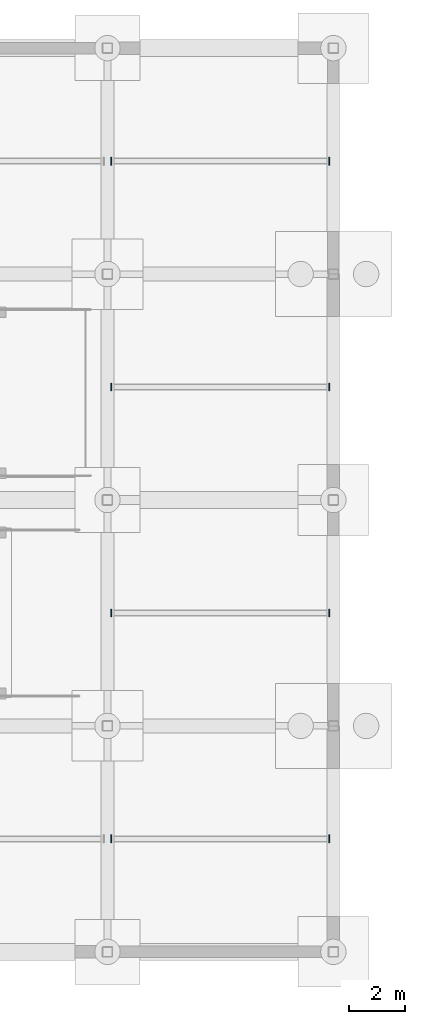
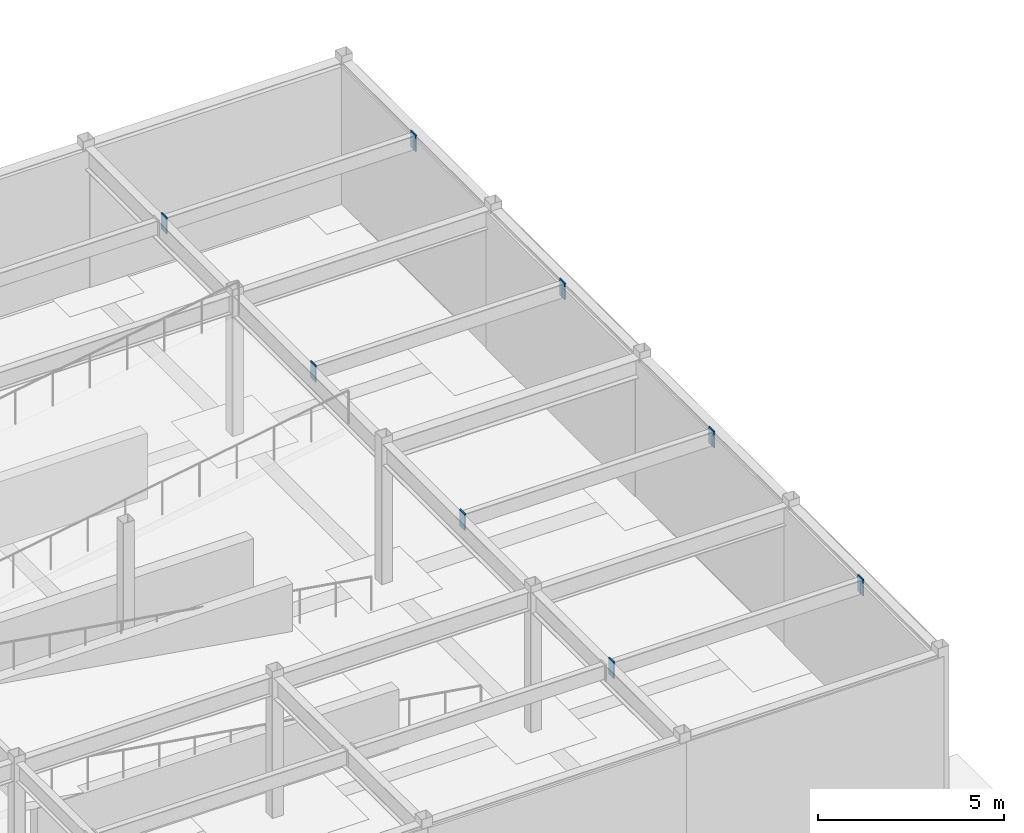
# One storey, part 90 of 105: 8 discrete accessories.
"""IFC4 building model written with IfcOpenShell, lengths in metres."""

from ifc_helpers import new_model, si_unit, direction, frame, origin, origin_2d, place, context, subcontext, project, spatial, rectangle, extrude, material, layer, layer_set, type_object, element, save


model = new_model("IFC4")

# Units and contexts
model_context = context("Model", 3, precision=1e-05, world=origin(), true_north=direction((0.0, 1.0)))
body_context = subcontext(model_context, "Body", "Model", "MODEL_VIEW")
ifc_project = project(units=[si_unit("LENGTHUNIT", "METRE"), si_unit("AREAUNIT", "SQUARE_METRE"), si_unit("VOLUMEUNIT", "CUBIC_METRE"), si_unit("PLANEANGLEUNIT", "RADIAN"), si_unit("MASSUNIT", "GRAM", prefix="KILO")], contexts=[model_context])

# Site, building, storey
site_placement = place(None, origin())
site = spatial("IfcSite", under=ifc_project, at=site_placement, CompositionType="ELEMENT")
building_placement = place(site_placement, origin())
building = spatial("IfcBuilding", under=site, at=building_placement, Name="Solmirada Galleria", CompositionType="ELEMENT")
storey_placement = place(building_placement, frame((0.0, 0.0, -4.800048828125)))
storey = spatial("IfcBuildingStorey", under=building, at=storey_placement, Name="B1", CompositionType="ELEMENT", Elevation=-4.800048828125)

# Discrete accessories
ifc_material = material(Name="Steel S355 / ASTM A572 Grade 50", Category="steel")
ifc_layer = layer(ifc_material, 0.031982421875)
ifc_layer_set = layer_set([ifc_layer], Name="Steel S355 / ASTM A572 Grade 50")
discrete_accessory_type = type_object("IfcDiscreteAccessoryType", Name="ACC-COL-CAP", PredefinedType="BRACKET", material=ifc_layer_set)
for number, where, z_axis, x_axis, name in (
    (1, (168.1279296875, 4.0, 4.08154296875), (0.0, 0.0, 1.0), (1.0, 0.0, 0.0), "Hollow joist end plate L00-22-01-L"),
    (2, (175.847412109375, 4.0, 4.08154296875), (0.0, 0.0, 1.0), (1.0, 0.0, 0.0), "Hollow joist end plate L00-22-01-R"),
    (3, (168.1279296875, 12.0, 4.08154296875), (0.0, 0.0, 1.0), (1.0, 0.0, 0.0), "Hollow joist end plate L00-22-02-L"),
    (4, (175.847412109375, 12.0, 4.08154296875), (0.0, 0.0, 1.0), (1.0, 0.0, 0.0), "Hollow joist end plate L00-22-02-R"),
    (5, (168.1279296875, 20.0, 4.08154296875), (0.0, 0.0, 1.0), (1.0, 0.0, 0.0), "Hollow joist end plate L00-22-03-L"),
    (6, (175.847412109375, 20.0, 4.08154296875), (0.0, 0.0, 1.0), (1.0, 0.0, 0.0), "Hollow joist end plate L00-22-03-R"),
    (7, (168.1279296875, 28.0, 4.08154296875), (0.0, 0.0, 1.0), (1.0, 0.0, 0.0), "Hollow joist end plate L00-22-04-L"),
    (8, (175.847412109375, 28.0, 4.08154296875), (0.0, 0.0, 1.0), (1.0, 0.0, 0.0), "Hollow joist end plate L00-22-04-R"),
):
    element("IfcDiscreteAccessory", number, at=place(storey_placement, frame(where, z_axis=z_axis, x_axis=x_axis)), inside=storey, type_object=discrete_accessory_type, Name=name, PredefinedType="BRACKET", context=body_context, shape_type="SweptSolid", body=[
        extrude(rectangle(XDim=0.035888671875, YDim=0.280029296875, at=origin_2d()), origin(), (0.0, 0.0, 1.0), 0.5400390625),
    ])

save(model, "model.ifc")
